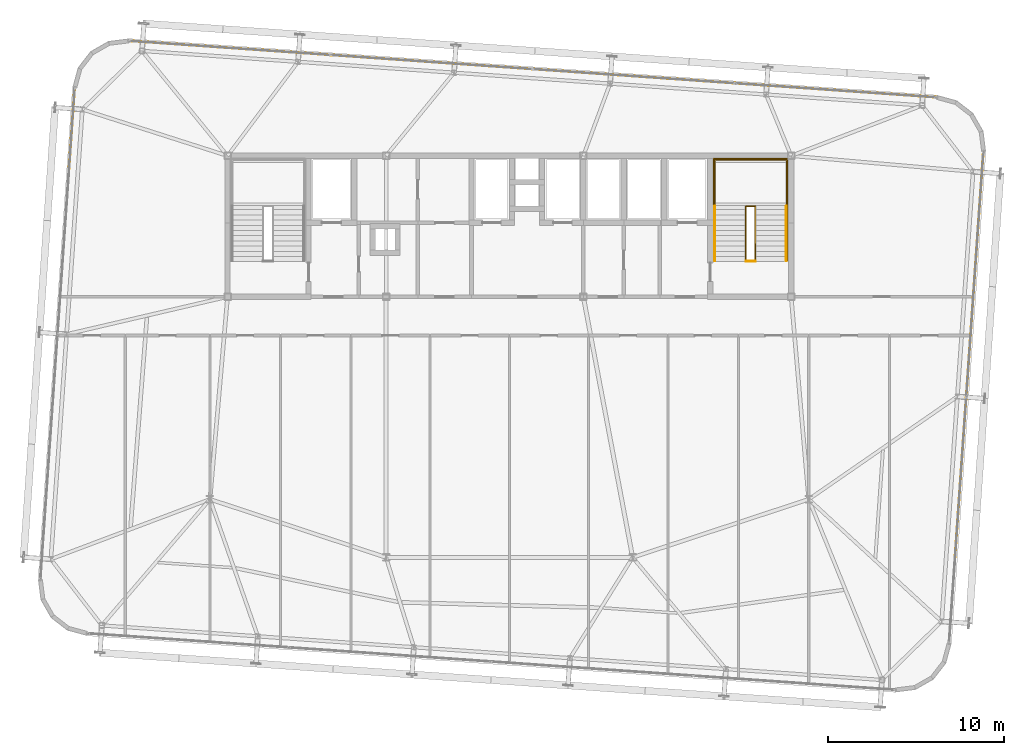
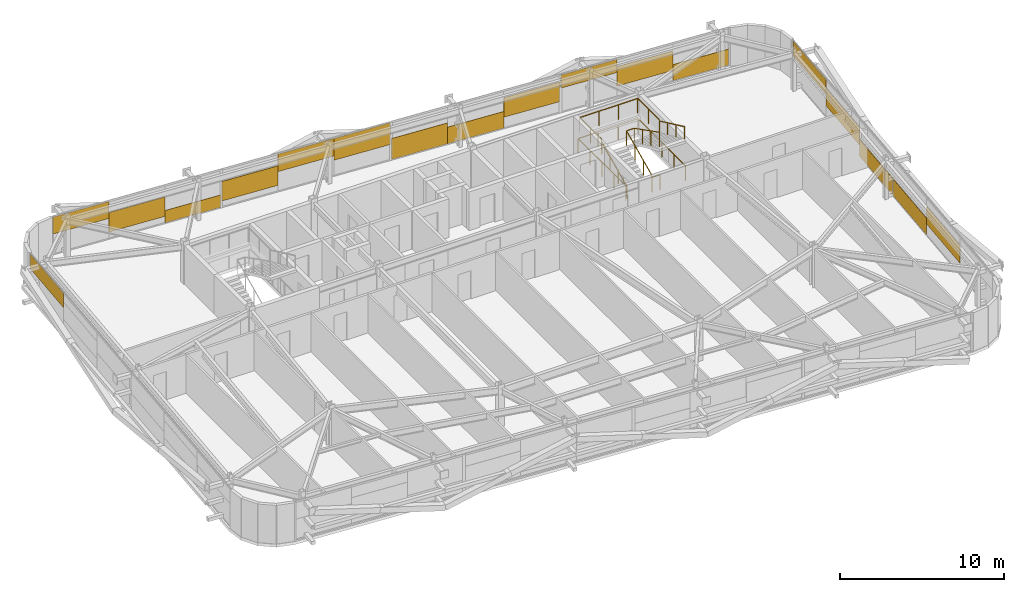
# One storey, part 39 of 39: 18 coverings, 6 railings.
"""IFC4 building model written with IfcOpenShell, lengths in metres."""

from ifc_helpers import new_model, si_unit, direction, frame, origin, origin_2d, place, context, subcontext, project, spatial, rectangle, extrude, source, transform, mapped, material, layer, layer_set, type_object, element, save


model = new_model("IFC4")

# Units and contexts
model_context = context("Model", 3, precision=1e-05, world=origin(), true_north=direction((0.0, 1.0)))
body_context = subcontext(model_context, "Body", "Model", "MODEL_VIEW")
ifc_project = project(units=[si_unit("LENGTHUNIT", "METRE"), si_unit("AREAUNIT", "SQUARE_METRE"), si_unit("VOLUMEUNIT", "CUBIC_METRE"), si_unit("PLANEANGLEUNIT", "RADIAN"), si_unit("MASSUNIT", "GRAM", prefix="KILO")], contexts=[model_context])

# Site, building, storey
site_placement = place(None, origin())
site = spatial("IfcSite", under=ifc_project, at=site_placement, CompositionType="ELEMENT")
building_placement = place(site_placement, origin())
building = spatial("IfcBuilding", under=site, at=building_placement, Name="Taldren Reach Tower", CompositionType="ELEMENT")
storey_placement = place(building_placement, frame((0.0, 0.0, 161.35009765625)))
storey = spatial("IfcBuildingStorey", under=building, at=storey_placement, Name="L49", CompositionType="ELEMENT", Elevation=161.35009765625)

# Railings
ifc_material_1 = material(Name="Steel Gr 350 (C350L0)", Category="steel")
ifc_layer_1 = layer(ifc_material_1, 0.050048828125)
ifc_layer_set_1 = layer_set([ifc_layer_1], Name="Steel Gr 350 (C350L0)")
railing_type_1 = type_object("IfcRailingType", Name="RL-STAIR-GR", PredefinedType="GUARDRAIL", material=ifc_layer_set_1)
railing_1_placement = place(storey_placement, frame((46.659912109375, 29.135009765625, 1.574951171875)))
element("IfcRailing", 1, at=railing_1_placement, inside=storey, type_object=railing_type_1, Name="Stair half-landing perimeter guard ST2-L49", PredefinedType="GUARDRAIL", context=body_context, shape_type="SweptSolid", body=[
    extrude(rectangle(XDim=0.047852, YDim=0.047852, at=origin_2d()), frame((0.0, 0.0, 1.09619140625), z_axis=(0.0, 1.0, 0.0), x_axis=(-1.0, 0.0, 0.0)), (0.0, 0.0, 1.0), 2.64501953125),
    extrude(rectangle(XDim=0.047852, YDim=0.047852, at=origin_2d()), frame((0.0, 2.64501953125, 1.09619140625), z_axis=(1.0, 0.0, 0.0), x_axis=(0.0, 1.0, 0.0)), (0.0, 0.0, 1.0), 4.080078125),
    extrude(rectangle(XDim=0.047852, YDim=0.047852, at=origin_2d()), frame((4.080078125, 2.64501953125, 1.09619140625), z_axis=(0.0, -1.0, 0.0), x_axis=(1.0, 0.0, 0.0)), (0.0, 0.0, 1.0), 2.64501953125),
    extrude(rectangle(XDim=0.041992, YDim=0.041992, at=origin_2d()), origin(), (0.0, 0.0, 1.0), 1.072021484375),
    extrude(rectangle(XDim=0.041992, YDim=0.041992, at=origin_2d()), frame((0.0, 1.322509765625, 0.0)), (0.0, 0.0, 1.0), 1.072021484375),
    extrude(rectangle(XDim=0.041992, YDim=0.041992, at=origin_2d()), frame((0.0, 2.64501953125, 0.0)), (0.0, 0.0, 1.0), 1.072021484375),
    extrude(rectangle(XDim=0.041992, YDim=0.041992, at=origin_2d()), frame((1.360107421875, 2.64501953125, 0.0)), (0.0, 0.0, 1.0), 1.072021484375),
    extrude(rectangle(XDim=0.041992, YDim=0.041992, at=origin_2d()), frame((2.719970703125, 2.64501953125, 0.0)), (0.0, 0.0, 1.0), 1.072021484375),
    extrude(rectangle(XDim=0.041992, YDim=0.041992, at=origin_2d()), frame((4.080078125, 2.64501953125, 0.0)), (0.0, 0.0, 1.0), 1.072021484375),
    extrude(rectangle(XDim=0.041992, YDim=0.041992, at=origin_2d()), frame((4.080078125, 1.322509765625, 0.0)), (0.0, 0.0, 1.0), 1.072021484375),
    extrude(rectangle(XDim=0.041992, YDim=0.041992, at=origin_2d()), frame((4.080078125, 0.0, 0.0)), (0.0, 0.0, 1.0), 1.072021484375),
])
railing_2_placement = place(storey_placement, frame((48.429931640625, 26.050048828125, 0.131103515625)))
element("IfcRailing", 2, at=railing_2_placement, inside=storey, type_object=railing_type_1, Name="Stairwell inner guard ST2-L49", PredefinedType="GUARDRAIL", context=body_context, shape_type="SweptSolid", body=[
    extrude(rectangle(XDim=0.047852, YDim=0.047852, at=origin_2d()), frame((0.0, 0.0, 1.09619140625), z_axis=(0.0, 0.905710134349, 0.423897573167), x_axis=(-1.0, 0.0, 0.0)), (0.0, 0.0, 1.0), 3.406005859375),
    extrude(rectangle(XDim=0.047852, YDim=0.047852, at=origin_2d()), frame((0.0, 3.0849609375, 2.5400390625), z_axis=(1.0, 0.0, 0.0), x_axis=(0.0, 1.0, 0.0)), (0.0, 0.0, 1.0), 0.5400390625),
    extrude(rectangle(XDim=0.047852, YDim=0.047852, at=origin_2d()), frame((0.5400390625, 3.0849609375, 2.5400390625), z_axis=(0.0, -0.890645957773, 0.45469745755), x_axis=(1.0, 0.0, 0.0)), (0.0, 0.0, 1.0), 3.463623046875),
    extrude(rectangle(XDim=0.041992, YDim=0.041992, at=origin_2d()), origin(), (0.0, 0.0, 1.0), 1.072021484375),
    extrude(rectangle(XDim=0.041992, YDim=0.041992, at=origin_2d()), frame((0.0, 1.0283203125, 0.481201171875)), (0.0, 0.0, 1.0), 1.072021484375),
    extrude(rectangle(XDim=0.041992, YDim=0.041992, at=origin_2d()), frame((0.0, 2.056640625, 0.962646484375)), (0.0, 0.0, 1.0), 1.072021484375),
    extrude(rectangle(XDim=0.041992, YDim=0.041992, at=origin_2d()), frame((0.0, 3.0849609375, 1.44384765625)), (0.0, 0.0, 1.0), 1.072021484375),
    extrude(rectangle(XDim=0.041992, YDim=0.041992, at=origin_2d()), frame((0.5400390625, 3.0849609375, 1.44384765625)), (0.0, 0.0, 1.0), 1.072021484375),
    extrude(rectangle(XDim=0.041992, YDim=0.041992, at=origin_2d()), frame((0.5400390625, 2.056640625, 1.96875)), (0.0, 0.0, 1.0), 1.072021484375),
    extrude(rectangle(XDim=0.041992, YDim=0.041992, at=origin_2d()), frame((0.5400390625, 1.0283203125, 2.493896484375)), (0.0, 0.0, 1.0), 1.072021484375),
    extrude(rectangle(XDim=0.041992, YDim=0.041992, at=origin_2d()), frame((0.5400390625, 0.0, 3.018798828125)), (0.0, 0.0, 1.0), 1.072021484375),
])
railing_3_placement = place(storey_placement, frame((48.429931640625, 26.010009765625, 0.0)))
element("IfcRailing", 3, at=railing_3_placement, inside=storey, type_object=railing_type_1, Name="Stairwell landing slot guard ST2-L49", PredefinedType="GUARDRAIL", context=body_context, shape_type="SweptSolid", body=[
    extrude(rectangle(XDim=0.047852, YDim=0.047852, at=origin_2d()), frame((0.0, 0.0, 1.09619140625), z_axis=(1.0, 0.0, 0.0), x_axis=(0.0, 1.0, 0.0)), (0.0, 0.0, 1.0), 0.5400390625),
    extrude(rectangle(XDim=0.041992, YDim=0.041992, at=origin_2d()), origin(), (0.0, 0.0, 1.0), 1.072021484375),
    extrude(rectangle(XDim=0.041992, YDim=0.041992, at=origin_2d()), frame((0.5400390625, 0.0, 0.0)), (0.0, 0.0, 1.0), 1.072021484375),
])
railing_4_placement = place(storey_placement, frame((46.590087890625, 26.050048828125, 0.0)))
element("IfcRailing", 4, at=railing_4_placement, inside=storey, type_object=railing_type_1, Name="Stairwell floor opening guard ST2-L49", PredefinedType="GUARDRAIL", context=body_context, shape_type="SweptSolid", body=[
    extrude(rectangle(XDim=0.047852, YDim=0.047852, at=origin_2d()), frame((0.0, 0.0, 1.09619140625), z_axis=(0.0, 1.0, 0.0), x_axis=(-1.0, 0.0, 0.0)), (0.0, 0.0, 1.0), 5.800048828125),
    extrude(rectangle(XDim=0.047852, YDim=0.047852, at=origin_2d()), frame((0.0, 5.800048828125, 1.09619140625), z_axis=(1.0, 0.0, 0.0), x_axis=(0.0, 1.0, 0.0)), (0.0, 0.0, 1.0), 4.219970703125),
    extrude(rectangle(XDim=0.047852, YDim=0.047852, at=origin_2d()), frame((4.219970703125, 5.800048828125, 1.09619140625), z_axis=(0.0, -1.0, 0.0), x_axis=(1.0, 0.0, 0.0)), (0.0, 0.0, 1.0), 5.800048828125),
    extrude(rectangle(XDim=0.041992, YDim=0.041992, at=origin_2d()), origin(), (0.0, 0.0, 1.0), 1.072021484375),
    extrude(rectangle(XDim=0.041992, YDim=0.041992, at=origin_2d()), frame((0.0, 1.449951171875, 0.0)), (0.0, 0.0, 1.0), 1.072021484375),
    extrude(rectangle(XDim=0.041992, YDim=0.041992, at=origin_2d()), frame((0.0, 2.89990234375, 0.0)), (0.0, 0.0, 1.0), 1.072021484375),
    extrude(rectangle(XDim=0.041992, YDim=0.041992, at=origin_2d()), frame((0.0, 4.35009765625, 0.0)), (0.0, 0.0, 1.0), 1.072021484375),
    extrude(rectangle(XDim=0.041992, YDim=0.041992, at=origin_2d()), frame((0.0, 5.800048828125, 0.0)), (0.0, 0.0, 1.0), 1.072021484375),
    extrude(rectangle(XDim=0.041992, YDim=0.041992, at=origin_2d()), frame((1.40673828125, 5.800048828125, 0.0)), (0.0, 0.0, 1.0), 1.072021484375),
    extrude(rectangle(XDim=0.041992, YDim=0.041992, at=origin_2d()), frame((2.813232421875, 5.800048828125, 0.0)), (0.0, 0.0, 1.0), 1.072021484375),
    extrude(rectangle(XDim=0.041992, YDim=0.041992, at=origin_2d()), frame((4.219970703125, 5.800048828125, 0.0)), (0.0, 0.0, 1.0), 1.072021484375),
    extrude(rectangle(XDim=0.041992, YDim=0.041992, at=origin_2d()), frame((4.219970703125, 4.35009765625, 0.0)), (0.0, 0.0, 1.0), 1.072021484375),
    extrude(rectangle(XDim=0.041992, YDim=0.041992, at=origin_2d()), frame((4.219970703125, 2.89990234375, 0.0)), (0.0, 0.0, 1.0), 1.072021484375),
    extrude(rectangle(XDim=0.041992, YDim=0.041992, at=origin_2d()), frame((4.219970703125, 1.449951171875, 0.0)), (0.0, 0.0, 1.0), 1.072021484375),
    extrude(rectangle(XDim=0.041992, YDim=0.041992, at=origin_2d()), frame((4.219970703125, 0.0, 0.0)), (0.0, 0.0, 1.0), 1.072021484375),
])
ifc_material_2 = material(Name="Stainless Steel Gr 316", Category="steel")
ifc_layer_2 = layer(ifc_material_2, 0.048095703125)
ifc_layer_set_2 = layer_set([ifc_layer_2], Name="Stainless Steel Gr 316")
railing_type_2 = type_object("IfcRailingType", Name="RL-STAIR-HR", PredefinedType="HANDRAIL", material=ifc_layer_set_2)
railing_5_placement = place(storey_placement, frame((46.669921875, 26.050048828125, 0.131103515625)))
element("IfcRailing", 5, at=railing_5_placement, inside=storey, type_object=railing_type_2, Name="Stair flight handrail ST2-L49-1", PredefinedType="HANDRAIL", context=body_context, shape_type="SweptSolid", body=[
    extrude(rectangle(XDim=0.047852, YDim=0.047852, at=origin_2d()), frame((0.0, 0.0, 0.89599609375), z_axis=(0.0, 0.905710134349, 0.423897573167), x_axis=(-1.0, 0.0, 0.0)), (0.0, 0.0, 1.0), 3.406005859375),
    extrude(rectangle(XDim=0.041992, YDim=0.041992, at=origin_2d()), origin(), (0.0, 0.0, 1.0), 0.871826171875),
    extrude(rectangle(XDim=0.041992, YDim=0.041992, at=origin_2d()), frame((0.0, 1.0283203125, 0.481201171875)), (0.0, 0.0, 1.0), 0.871826171875),
    extrude(rectangle(XDim=0.041992, YDim=0.041992, at=origin_2d()), frame((0.0, 2.056640625, 0.962646484375)), (0.0, 0.0, 1.0), 0.871826171875),
    extrude(rectangle(XDim=0.041992, YDim=0.041992, at=origin_2d()), frame((0.0, 3.0849609375, 1.44384765625)), (0.0, 0.0, 1.0), 0.871826171875),
])
railing_6_placement = place(storey_placement, frame((50.72998046875, 29.135009765625, 1.706298828125)))
element("IfcRailing", 6, at=railing_6_placement, inside=storey, type_object=railing_type_2, Name="Stair flight handrail ST2-L49-2", PredefinedType="HANDRAIL", context=body_context, shape_type="SweptSolid", body=[
    extrude(rectangle(XDim=0.047852, YDim=0.047852, at=origin_2d()), frame((0.0, 0.0, 0.89599609375), z_axis=(0.0, -0.905737652094, 0.423838773095), x_axis=(1.0, 0.0, 0.0)), (0.0, 0.0, 1.0), 3.406005859375),
    extrude(rectangle(XDim=0.041992, YDim=0.041992, at=origin_2d()), origin(), (0.0, 0.0, 1.0), 0.871826171875),
    extrude(rectangle(XDim=0.041992, YDim=0.041992, at=origin_2d()), frame((0.0, -1.0283203125, 0.481201171875)), (0.0, 0.0, 1.0), 0.871826171875),
    extrude(rectangle(XDim=0.041992, YDim=0.041992, at=origin_2d()), frame((0.0, -2.056640625, 0.96240234375)), (0.0, 0.0, 1.0), 0.871826171875),
    extrude(rectangle(XDim=0.041992, YDim=0.041992, at=origin_2d()), frame((0.0, -3.0849609375, 1.443603515625)), (0.0, 0.0, 1.0), 0.871826171875),
])

# Coverings
ifc_material_3 = material(Name="Pale Champagne Fluoropolymer Aluminium Spandrel Cladding", Category="aluminium")
ifc_layer_3 = layer(ifc_material_3, 0.0439453125)
ifc_layer_set_3 = layer_set([ifc_layer_3], Name="Pale Champagne Fluoropolymer Aluminium Spandrel Cladding")
covering_type = type_object("IfcCoveringType", Name="CV-CLAD-044", PredefinedType="CLADDING", material=ifc_layer_set_3)
shared_shape_1 = source(origin(), body_context, "Body", "SweptSolid", [
    extrude(rectangle(XDim=3.79833984375, YDim=0.0439453125, at=origin_2d()), origin(), (0.0, 0.0, 1.0), 1.260986328125),
])
covering_1_placement = place(storey_placement, frame((15.346435546875, 38.385986328125, 1.5537109375), z_axis=(0.0, 0.0, 1.0), x_axis=(-0.99756404731, 0.06975651593, 0.0)))
element("IfcCovering", 7, at=covering_1_placement, inside=storey, type_object=covering_type, Name="Diagrid closure cladding strip CW-4 panel 4.1 3", PredefinedType="CLADDING", context=body_context, shape_type="MappedRepresentation", body=[
    mapped(shared_shape_1, transform((0.0, 0.0, 0.0), scale=1.0)),
])
shared_shape_2 = source(origin(), body_context, "Body", "SweptSolid", [
    extrude(rectangle(XDim=3.79833984375, YDim=0.0439453125, at=origin_2d()), origin(), (0.0, 0.0, 1.0), 1.447998046875),
])
for number, where, z_axis, x_axis, name in (
    (8, (53.5166015625, 35.716796875, 0.82177734375), (0.0, 0.0, 1.0), (-0.99756404731, 0.06975651593, 0.0), "Diagrid closure cladding strip CW-4 panel 1.1 2"),
    (9, (19.135498046875, 38.12109375, 0.5400390625), (0.0, 0.0, 1.0), (-0.99756404731, 0.06975651593, 0.0), "Diagrid closure cladding strip CW-4 panel 4.1 2"),
):
    element("IfcCovering", number, at=place(storey_placement, frame(where, z_axis=z_axis, x_axis=x_axis)), inside=storey, type_object=covering_type, Name=name, PredefinedType="CLADDING", context=body_context, shape_type="MappedRepresentation", body=[
        mapped(shared_shape_2, transform((0.0, 0.0, 0.0), scale=1.0)),
    ])
shared_shape_3 = source(origin(), body_context, "Body", "SweptSolid", [
    extrude(rectangle(XDim=3.79833984375, YDim=0.0439453125, at=origin_2d()), origin(), (0.0, 0.0, 1.0), 0.91943359375),
])
covering_2_placement = place(storey_placement, frame((22.924560546875, 37.85595703125, 0.054931640625), z_axis=(0.0, 0.0, 1.0), x_axis=(-0.99756404731, 0.06975651593, 0.0)))
element("IfcCovering", 10, at=covering_2_placement, inside=storey, type_object=covering_type, Name="Diagrid closure cladding strip CW-4 panel 4.1 1", PredefinedType="CLADDING", context=body_context, shape_type="MappedRepresentation", body=[
    mapped(shared_shape_3, transform((0.0, 0.0, 0.0), scale=1.0)),
])
shared_shape_4 = source(origin(), body_context, "Body", "SweptSolid", [
    extrude(rectangle(XDim=3.81005859375, YDim=0.0439453125, at=origin_2d()), origin(), (0.0, 0.0, 1.0), 1.451171875),
])
for number, where, z_axis, x_axis, name in (
    (11, (45.86279296875, 36.251953125, 0.86083984375), (0.0, 0.0, 1.0), (-0.99756404731, 0.06975651593, 0.0), "Diagrid closure cladding strip CW-4 panel 2.1 1"),
    (12, (26.789306640625, 37.585693359375, 0.497802734375), (0.0, 0.0, 1.0), (-0.99756404731, 0.06975651593, 0.0), "Diagrid closure cladding strip CW-4 panel 3.1 3"),
):
    element("IfcCovering", number, at=place(storey_placement, frame(where, z_axis=z_axis, x_axis=x_axis)), inside=storey, type_object=covering_type, Name=name, PredefinedType="CLADDING", context=body_context, shape_type="MappedRepresentation", body=[
        mapped(shared_shape_4, transform((0.0, 0.0, 0.0), scale=1.0)),
    ])
shared_shape_5 = source(origin(), body_context, "Body", "SweptSolid", [
    extrude(rectangle(XDim=3.81005859375, YDim=0.0439453125, at=origin_2d()), origin(), (0.0, 0.0, 1.0), 1.30029296875),
])
covering_3_placement = place(storey_placement, frame((30.590087890625, 37.320068359375, 1.5146484375), z_axis=(0.0, 0.0, 1.0), x_axis=(-0.99756404731, 0.06975651593, 0.0)))
element("IfcCovering", 13, at=covering_3_placement, inside=storey, type_object=covering_type, Name="Diagrid closure cladding strip CW-4 panel 3.1 2", PredefinedType="CLADDING", context=body_context, shape_type="MappedRepresentation", body=[
    mapped(shared_shape_5, transform((0.0, 0.0, 0.0), scale=1.0)),
])
shared_shape_6 = source(origin(), body_context, "Body", "SweptSolid", [
    extrude(rectangle(XDim=3.81005859375, YDim=0.0439453125, at=origin_2d()), origin(), (0.0, 0.0, 1.0), 1.617919921875),
])
covering_4_placement = place(storey_placement, frame((34.390869140625, 37.05419921875, 1.197265625), z_axis=(0.0, 0.0, 1.0), x_axis=(-0.99756404731, 0.06975651593, 0.0)))
element("IfcCovering", 14, at=covering_4_placement, inside=storey, type_object=covering_type, Name="Diagrid closure cladding strip CW-4 panel 3.1 1", PredefinedType="CLADDING", context=body_context, shape_type="MappedRepresentation", body=[
    mapped(shared_shape_6, transform((0.0, 0.0, 0.0), scale=1.0)),
])
shared_shape_7 = source(origin(), body_context, "Body", "SweptSolid", [
    extrude(rectangle(XDim=3.81005859375, YDim=0.0439453125, at=origin_2d()), origin(), (0.0, 0.0, 1.0), 1.557861328125),
])
covering_5_placement = place(storey_placement, frame((38.261474609375, 36.78369140625, 0.0546875), z_axis=(0.0, 0.0, 1.0), x_axis=(-0.99756404731, 0.06975651593, 0.0)))
element("IfcCovering", 15, at=covering_5_placement, inside=storey, type_object=covering_type, Name="Diagrid closure cladding strip CW-4 panel 2.1 3", PredefinedType="CLADDING", context=body_context, shape_type="MappedRepresentation", body=[
    mapped(shared_shape_7, transform((0.0, 0.0, 0.0), scale=1.0)),
])
shared_shape_8 = source(origin(), body_context, "Body", "SweptSolid", [
    extrude(rectangle(XDim=3.81005859375, YDim=0.0439453125, at=origin_2d()), origin(), (0.0, 0.0, 1.0), 1.240234375),
])
covering_6_placement = place(storey_placement, frame((42.06201171875, 36.517822265625, 0.054931640625), z_axis=(0.0, 0.0, 1.0), x_axis=(-0.99756404731, 0.06975651593, 0.0)))
element("IfcCovering", 16, at=covering_6_placement, inside=storey, type_object=covering_type, Name="Diagrid closure cladding strip CW-4 panel 2.1 2", PredefinedType="CLADDING", context=body_context, shape_type="MappedRepresentation", body=[
    mapped(shared_shape_8, transform((0.0, 0.0, 0.0), scale=1.0)),
])
shared_shape_9 = source(origin(), body_context, "Body", "SweptSolid", [
    extrude(rectangle(XDim=3.79833984375, YDim=0.0439453125, at=origin_2d()), origin(), (0.0, 0.0, 1.0), 0.9794921875),
])
covering_7_placement = place(storey_placement, frame((49.7275390625, 35.981689453125, 1.83544921875), z_axis=(0.0, 0.0, 1.0), x_axis=(-0.99756404731, 0.06975651593, 0.0)))
element("IfcCovering", 17, at=covering_7_placement, inside=storey, type_object=covering_type, Name="Diagrid closure cladding strip CW-4 panel 1.1 3", PredefinedType="CLADDING", context=body_context, shape_type="MappedRepresentation", body=[
    mapped(shared_shape_9, transform((0.0, 0.0, 0.0), scale=1.0)),
])
shared_shape_10 = source(origin(), body_context, "Body", "SweptSolid", [
    extrude(rectangle(XDim=3.79833984375, YDim=0.0439453125, at=origin_2d()), origin(), (0.0, 0.0, 1.0), 1.201171875),
])
covering_8_placement = place(storey_placement, frame((57.3056640625, 35.451904296875, 0.054931640625), z_axis=(0.0, 0.0, 1.0), x_axis=(-0.99756404731, 0.06975651593, 0.0)))
element("IfcCovering", 18, at=covering_8_placement, inside=storey, type_object=covering_type, Name="Diagrid closure cladding strip CW-4 panel 1.1 1", PredefinedType="CLADDING", context=body_context, shape_type="MappedRepresentation", body=[
    mapped(shared_shape_10, transform((0.0, 0.0, 0.0), scale=1.0)),
])
shared_shape_11 = source(origin(), body_context, "Body", "SweptSolid", [
    extrude(rectangle(XDim=4.631591796875, YDim=0.0439453125, at=origin_2d()), origin(), (0.0, 0.0, 1.0), 1.0869140625),
])
for number, where, z_axis, x_axis, name in (
    (19, (10.1630859375, 33.48974609375, 1.72802734375), (0.0, 0.0, 1.0), (-0.069756437251, -0.997564052812, 0.0), "Diagrid closure cladding strip CW-4 panel 1.1 1"),
    (20, (61.757080078125, 29.882080078125, 1.72802734375), (0.0, 0.0, 1.0), (0.069756437251, 0.997564052812, 0.0), "Diagrid closure cladding strip CW-4 panel 2.1 3"),
):
    element("IfcCovering", number, at=place(storey_placement, frame(where, z_axis=z_axis, x_axis=x_axis)), inside=storey, type_object=covering_type, Name=name, PredefinedType="CLADDING", context=body_context, shape_type="MappedRepresentation", body=[
        mapped(shared_shape_11, transform((0.0, 0.0, 0.0), scale=1.0)),
    ])
shared_shape_12 = source(origin(), body_context, "Body", "SweptSolid", [
    extrude(rectangle(XDim=4.631591796875, YDim=0.0439453125, at=origin_2d()), origin(), (0.0, 0.0, 1.0), 1.28466796875),
])
for number, where, z_axis, x_axis, name in (
    (21, (60.4599609375, 11.33056640625, 0.870361328125), (0.0, 0.0, 1.0), (0.069756437251, 0.997564052812, 0.0), "Diagrid closure cladding strip CW-4 panel 1.1 2"),
    (22, (61.43408203125, 25.261474609375, 0.870361328125), (0.0, 0.0, 1.0), (0.069756437251, 0.997564052812, 0.0), "Diagrid closure cladding strip CW-4 panel 2.1 2"),
):
    element("IfcCovering", number, at=place(storey_placement, frame(where, z_axis=z_axis, x_axis=x_axis)), inside=storey, type_object=covering_type, Name=name, PredefinedType="CLADDING", context=body_context, shape_type="MappedRepresentation", body=[
        mapped(shared_shape_12, transform((0.0, 0.0, 0.0), scale=1.0)),
    ])
shared_shape_13 = source(origin(), body_context, "Body", "SweptSolid", [
    extrude(rectangle(XDim=4.631591796875, YDim=0.0439453125, at=origin_2d()), origin(), (0.0, 0.0, 1.0), 1.242431640625),
])
for number, where, z_axis, x_axis, name in (
    (23, (60.782958984375, 15.950927734375, 0.05517578125), (0.0, 0.0, 1.0), (0.069756437251, 0.997564052812, 0.0), "Diagrid closure cladding strip CW-4 panel 1.1 3"),
    (24, (61.111083984375, 20.64111328125, 0.05517578125), (0.0, 0.0, 1.0), (0.069756437251, 0.997564052812, 0.0), "Diagrid closure cladding strip CW-4 panel 2.1 1"),
):
    element("IfcCovering", number, at=place(storey_placement, frame(where, z_axis=z_axis, x_axis=x_axis)), inside=storey, type_object=covering_type, Name=name, PredefinedType="CLADDING", context=body_context, shape_type="MappedRepresentation", body=[
        mapped(shared_shape_13, transform((0.0, 0.0, 0.0), scale=1.0)),
    ])

save(model, "model.ifc")
